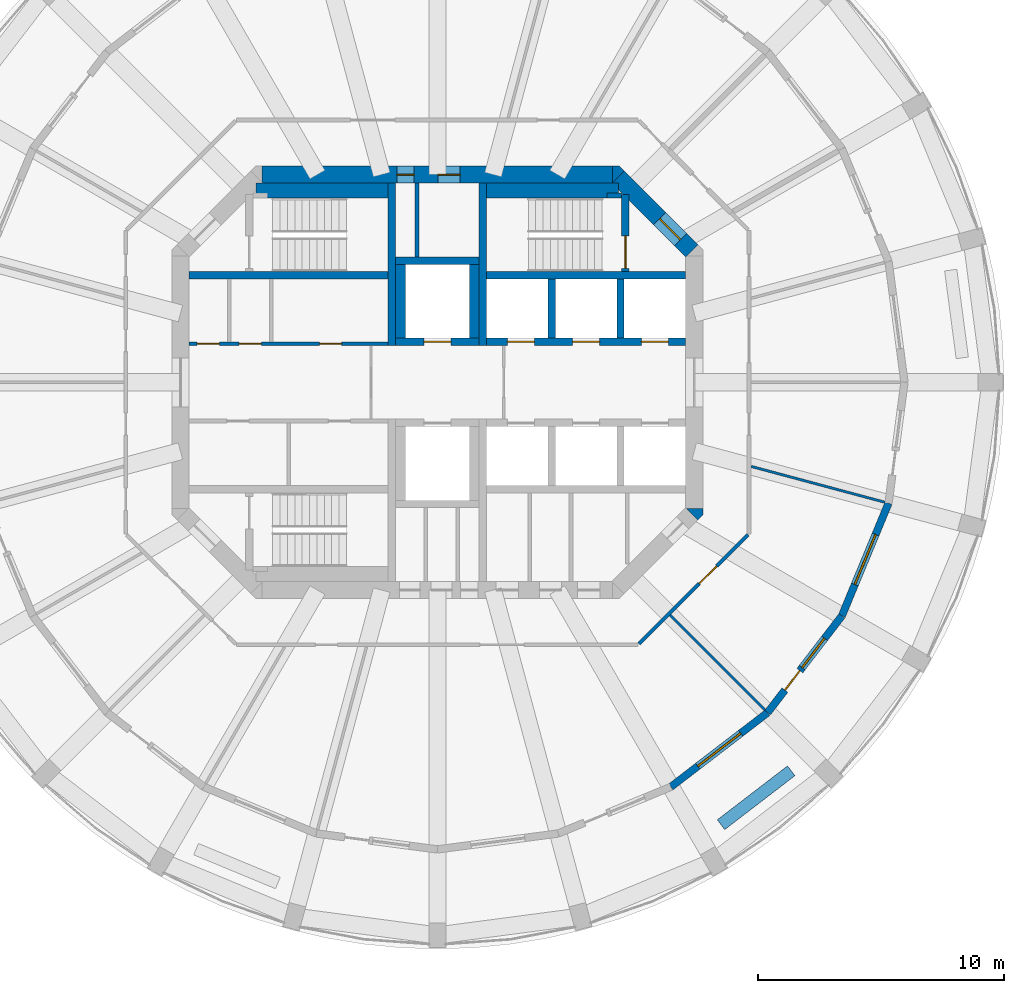
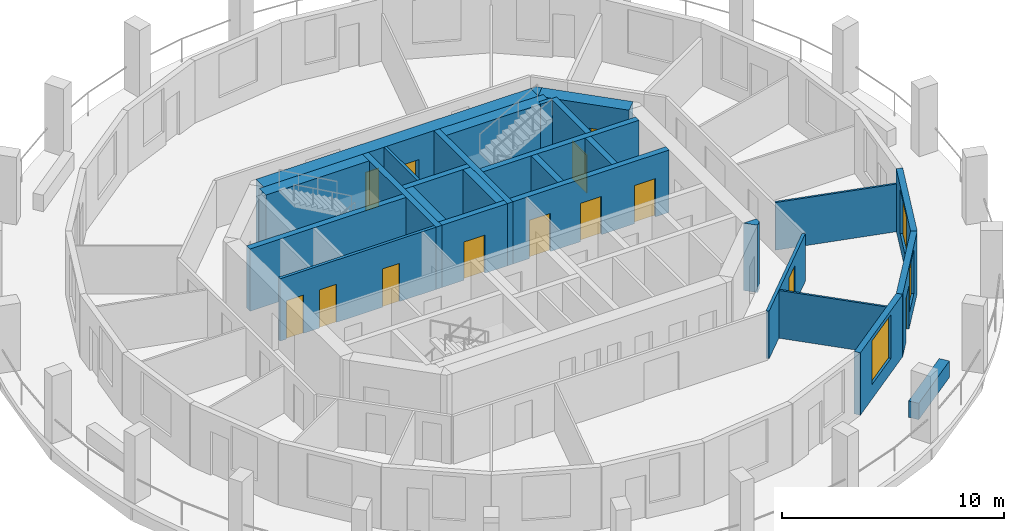
# One storey, part 5 of 9: 28 walls, 13 doors, 3 windows, 16 openings.
"""IFC4 building model written with IfcOpenShell, lengths in metres."""

from ifc_helpers import new_model, si_unit, direction, frame, frame_2d, origin, place, context, subcontext, project, spatial, polyline, rectangle, outline, extrude, material, layer, layer_set, type_object, element, fill, save


model = new_model("IFC4")

# Units and contexts
model_context = context("Model", 3, precision=1e-05, world=origin(), true_north=direction((0.0, 1.0)))
body_context = subcontext(model_context, "Body", "Model", "MODEL_VIEW")
ifc_project = project(units=[si_unit("LENGTHUNIT", "METRE"), si_unit("AREAUNIT", "SQUARE_METRE"), si_unit("VOLUMEUNIT", "CUBIC_METRE"), si_unit("PLANEANGLEUNIT", "RADIAN"), si_unit("MASSUNIT", "GRAM", prefix="KILO")], contexts=[model_context])

# Site, building, storey
site_placement = place(None, origin())
site = spatial("IfcSite", under=ifc_project, at=site_placement, CompositionType="ELEMENT")
building_placement = place(site_placement, origin())
building = spatial("IfcBuilding", under=site, at=building_placement, Name="Torre Triforio", CompositionType="ELEMENT")
storey_placement = place(building_placement, frame((0.0, 0.0, 172.699951171875)))
storey = spatial("IfcBuildingStorey", under=building, at=storey_placement, Name="L39", CompositionType="ELEMENT", Elevation=172.699951171875)

# Walls
ifc_material_1 = material(Name="Concrete C50", Category="concrete")
ifc_layer_1 = layer(ifc_material_1, 0.300048828125)
ifc_layer_set_1 = layer_set([ifc_layer_1], Name="Concrete C50")
wall_type_1 = type_object("IfcWallType", Name="Core wall 300 mm C50 EI 120", PredefinedType="SHEAR", material=ifc_layer_set_1)
for number, where, z_axis, x_axis, name in (
    (1, (-1.85009765625, 1.5, 0.0), (0.0, 0.0, 1.0), (0.0, 1.0, 0.0), "Core wall"),
    (2, (1.85009765625, 1.5, 0.0), (0.0, 0.0, 1.0), (0.0, 1.0, 0.0), "Core wall"),
):
    element("IfcWall", number, at=place(storey_placement, frame(where, z_axis=z_axis, x_axis=x_axis)), inside=storey, type_object=wall_type_1, Name=name, PredefinedType="SHEAR", context=body_context, shape_type="SweptSolid", body=[
        extrude(rectangle(XDim=6.60009765625, YDim=0.300048828125, at=frame_2d((3.300048828125, 0.0))), origin(), (0.0, 0.0, 1.0), 3.420166015625),
    ])

# Wall, openings, doors
ifc_layer_2 = layer(ifc_material_1, 0.699951171875)
ifc_layer_set_2 = layer_set([ifc_layer_2], Name="Concrete C50")
wall_type_2 = type_object("IfcWallType", Name="Core wall 700 mm C50 EI 120", PredefinedType="SHEAR", material=ifc_layer_set_2)
wall_1_placement = place(storey_placement, frame((-7.1298828125, 8.449951171875, -0.280029296875), z_axis=(0.0, 0.0, 1.0), x_axis=(1.0, 0.0, 0.0)))
wall_1 = element("IfcWall", 3, at=wall_1_placement, inside=storey, type_object=wall_type_2, Name="Core wall", PredefinedType="SHEAR", context=body_context, shape_type="SweptSolid", body=[
    extrude(rectangle(XDim=14.259765625, YDim=0.699951171875, at=frame_2d((7.1298828125, 0.0))), origin(), (0.0, 0.0, 1.0), 3.7001953125),
])
opening_1_placement = place(wall_1_placement, frame((5.47998046875, 0.0, 0.280029296875)))
opening_1 = element("IfcOpeningElement", 4, at=opening_1_placement, cuts=wall_1, Name="Opening RISER-N", PredefinedType="OPENING", context=body_context, shape_type="SweptSolid", body=[
    extrude(rectangle(XDim=0.699951171875, YDim=2.10009765625, at=frame_2d((0.35009765625, 1.050048828125))), frame((0.0, 0.35986328125, 0.0), z_axis=(0.0, -1.0, 0.0), x_axis=(1.0, 0.0, 0.0)), (0.0, 0.0, 1.0), 0.719970703125),
])
opening_2_placement = place(wall_1_placement, frame((7.155029296875, 0.0, 0.280029296875)))
opening_2 = element("IfcOpeningElement", 5, at=opening_2_placement, cuts=wall_1, Name="Opening NE-01", PredefinedType="OPENING", context=body_context, shape_type="SweptSolid", body=[
    extrude(rectangle(XDim=0.89990234375, YDim=2.10009765625, at=frame_2d((0.449951171875, 1.050048828125))), frame((0.0, 0.35986328125, 0.0), z_axis=(0.0, -1.0, 0.0), x_axis=(1.0, 0.0, 0.0)), (0.0, 0.0, 1.0), 0.719970703125),
])
ifc_material_2 = material(Name="Hollow metal fire door leaf")
door_type_1 = type_object("IfcDoorType", Name="Riser door 700 x 2100 EI 60", OperationType="NOTDEFINED", PredefinedType="DOOR", material=ifc_material_2)
door_1_placement = place(opening_1_placement, origin())
door_1 = element("IfcDoor", 6, at=door_1_placement, inside=storey, type_object=door_type_1, Name="Core door RISER-N", OperationType="SINGLE_SWING_LEFT", OverallHeight=2.10009765625, OverallWidth=0.699951171875, PredefinedType="DOOR", context=body_context, shape_type="SweptSolid", body=[
    extrude(rectangle(XDim=0.699951171875, YDim=2.10009765625, at=frame_2d((0.35009765625, 1.050048828125))), frame((0.0, 0.02490234375, 0.0), z_axis=(0.0, -1.0, 0.0), x_axis=(1.0, 0.0, 0.0)), (0.0, 0.0, 1.0), 0.050048828125),
])
fill(opening_1, door_1)
door_type_2 = type_object("IfcDoorType", Name="Room door 900 x 2100 EI 60", OperationType="NOTDEFINED", PredefinedType="DOOR", material=ifc_material_2)
door_2_placement = place(opening_2_placement, origin())
door_2 = element("IfcDoor", 7, at=door_2_placement, inside=storey, type_object=door_type_2, Name="Core door NE-01", OperationType="SINGLE_SWING_RIGHT", OverallHeight=2.10009765625, OverallWidth=0.89990234375, PredefinedType="DOOR", context=body_context, shape_type="SweptSolid", body=[
    extrude(rectangle(XDim=0.89990234375, YDim=2.10009765625, at=frame_2d((0.449951171875, 1.050048828125))), frame((0.0, 0.02490234375, 0.0), z_axis=(0.0, -1.0, 0.0), x_axis=(1.0, 0.0, 0.0)), (0.0, 0.0, 1.0), 0.050048828125),
])
fill(opening_2, door_2)

# Wall, opening, door
wall_2_placement = place(storey_placement, frame((7.347412109375, 8.347412109375, -0.280029296875), z_axis=(0.0, 0.0, 1.0), x_axis=(0.707106781187, -0.707106781187, 0.0)))
wall_2 = element("IfcWall", 8, at=wall_2_placement, inside=storey, type_object=wall_type_2, Name="Core wall", PredefinedType="SHEAR", context=body_context, shape_type="SweptSolid", body=[
    extrude(rectangle(XDim=4.24267578125, YDim=0.699951171875, at=frame_2d((2.121337890625, 0.0))), origin(), (0.0, 0.0, 1.0), 3.7001953125),
])
opening_3_placement = place(wall_2_placement, frame((2.392578125, 0.0, 0.280029296875)))
opening_3 = element("IfcOpeningElement", 9, at=opening_3_placement, cuts=wall_2, Name="Opening ST2-EXIT", PredefinedType="OPENING", context=body_context, shape_type="SweptSolid", body=[
    extrude(rectangle(XDim=1.199951171875, YDim=2.10009765625, at=frame_2d((0.60009765625, 1.050048828125))), frame((0.0, 0.35986328125, 0.0), z_axis=(0.0, -1.0, 0.0), x_axis=(1.0, 0.0, 0.0)), (0.0, 0.0, 1.0), 0.719970703125),
])
door_type_3 = type_object("IfcDoorType", Name="Stair lobby door 1200 x 2100 EI 60", OperationType="NOTDEFINED", PredefinedType="DOOR", material=ifc_material_2)
door_3_placement = place(opening_3_placement, origin())
door_3 = element("IfcDoor", 10, at=door_3_placement, inside=storey, type_object=door_type_3, Name="Core door ST2-EXIT", OperationType="SINGLE_SWING_RIGHT", OverallHeight=2.10009765625, OverallWidth=1.199951171875, PredefinedType="DOOR", context=body_context, shape_type="SweptSolid", body=[
    extrude(rectangle(XDim=1.199951171875, YDim=2.10009765625, at=frame_2d((0.60009765625, 1.050048828125))), frame((0.0, 0.02490234375, 0.0), z_axis=(0.0, -1.0, 0.0), x_axis=(1.0, 0.0, 0.0)), (0.0, 0.0, 1.0), 0.050048828125),
])
fill(opening_3, door_3)

# Walls
wall_3_placement = place(storey_placement, frame((0.0, 0.0, -0.280029296875)))
element("IfcWall", 11, at=wall_3_placement, inside=storey, type_object=wall_type_2, Name="Core wall", PredefinedType="SHEAR", context=body_context, shape_type="SweptSolid", body=[
    extrude(outline(polyline([(10.800048828125, -5.389892578125), (10.594970703125, -5.594970703125), (10.594970703125, -5.594970703125), (10.594970703125, -5.594970703125), (10.1298828125, -5.1298828125), (10.800048828125, -5.1298828125), (10.800048828125, -5.1298828125), (10.800048828125, -5.389892578125)])), origin(), (0.0, 0.0, 1.0), 3.7001953125),
])
wall_4_placement = place(storey_placement, frame((0.0, 0.0, -0.280029296875)))
element("IfcWall", 12, at=wall_4_placement, inside=storey, type_object=wall_type_2, Name="Core wall", PredefinedType="SHEAR", context=body_context, shape_type="SweptSolid", body=[
    extrude(outline(polyline([(7.389892578125, 8.800048828125), (7.594970703125, 8.594970703125), (7.594970703125, 8.594970703125), (7.594970703125, 8.594970703125), (7.1298828125, 8.1298828125), (7.1298828125, 8.800048828125), (7.1298828125, 8.800048828125), (7.389892578125, 8.800048828125)])), origin(), (0.0, 0.0, 1.0), 3.7001953125),
])

# Wall, opening, door
ifc_material_3 = material(Name="Plasterboard on metal studs")
ifc_layer_3 = layer(ifc_material_3, 0.14990234375)
ifc_layer_set_3 = layer_set([ifc_layer_3], Name="Plasterboard on metal studs")
wall_type_3 = type_object("IfcWallType", Name="Corridor and tenancy wall 150 mm EI 60", PredefinedType="PARTITIONING", material=ifc_layer_set_3)
wall_5_placement = place(storey_placement, frame((12.637939453125, -6.20361328125, 0.0), z_axis=(0.0, 0.0, 1.0), x_axis=(-0.707106781187, -0.707106781187, 0.0)))
wall_5 = element("IfcWall", 13, at=wall_5_placement, inside=storey, type_object=wall_type_3, Name="Partition 1", PredefinedType="PARTITIONING", context=body_context, shape_type="SweptSolid", body=[
    extrude(rectangle(XDim=6.27099609375, YDim=0.14990234375, at=frame_2d((3.135498046875, 0.0))), origin(), (0.0, 0.0, 1.0), 2.6201171875),
])
opening_4_placement = place(wall_5_placement, frame((1.7998046875, 0.0, 0.0)))
opening_4 = element("IfcOpeningElement", 14, at=opening_4_placement, cuts=wall_5, Name="Opening O2-10", PredefinedType="OPENING", context=body_context, shape_type="SweptSolid", body=[
    extrude(rectangle(XDim=1.0, YDim=2.10009765625, at=frame_2d((0.5, 1.050048828125))), frame((0.0, 0.0849609375, 0.0), z_axis=(0.0, -1.0, 0.0), x_axis=(1.0, 0.0, 0.0)), (0.0, 0.0, 1.0), 0.169921875),
])
ifc_material_4 = material(Name="Timber", Category="wood")
door_type_4 = type_object("IfcDoorType", Name="Door 1000 x 2100 single leaf EI 30", OperationType="NOTDEFINED", PredefinedType="DOOR", material=ifc_material_4)
door_4_placement = place(opening_4_placement, origin())
door_4 = element("IfcDoor", 15, at=door_4_placement, inside=storey, type_object=door_type_4, Name="Door O2-10", OperationType="SINGLE_SWING_RIGHT", OverallHeight=2.10009765625, OverallWidth=1.0, PredefinedType="DOOR", context=body_context, shape_type="SweptSolid", body=[
    extrude(rectangle(XDim=1.0, YDim=2.10009765625, at=frame_2d((0.5, 1.050048828125))), frame((0.0, 0.02490234375, 0.0), z_axis=(0.0, -1.0, 0.0), x_axis=(1.0, 0.0, 0.0)), (0.0, 0.0, 1.0), 0.050048828125),
])
fill(opening_4, door_4)

# Walls
ifc_layer_4 = layer(ifc_material_3, 0.10009765625)
ifc_layer_set_4 = layer_set([ifc_layer_4], Name="Plasterboard on metal studs")
wall_type_4 = type_object("IfcWallType", Name="Partition 100 mm board on metal studs", PredefinedType="PARTITIONING", material=ifc_layer_set_4)
wall_6_placement = place(storey_placement, frame((9.473876953125, -9.473876953125, 0.0), z_axis=(0.0, 0.0, 1.0), x_axis=(0.707106781187, -0.707106781187, 0.0)))
element("IfcWall", 16, at=wall_6_placement, inside=storey, type_object=wall_type_4, Name="Partition 25", PredefinedType="PARTITIONING", context=body_context, shape_type="SweptSolid", body=[
    extrude(rectangle(XDim=5.438720703125, YDim=0.10009765625, at=frame_2d((2.71923828125, 0.0))), origin(), (0.0, 0.0, 1.0), 2.6201171875),
])
wall_7_placement = place(storey_placement, frame((12.764404296875, -3.420166015625, 0.0), z_axis=(0.0, 0.0, 1.0), x_axis=(0.965925759926, -0.258819292773, 0.0)))
element("IfcWall", 17, at=wall_7_placement, inside=storey, type_object=wall_type_4, Name="Partition 26", PredefinedType="PARTITIONING", context=body_context, shape_type="SweptSolid", body=[
    extrude(rectangle(XDim=5.6220703125, YDim=0.10009765625, at=frame_2d((2.81103515625, 0.0))), origin(), (0.0, 0.0, 1.0), 2.6201171875),
])
ifc_material_5 = material(Name="Block and board partition")
ifc_layer_5 = layer(ifc_material_5, 0.14990234375)
ifc_layer_set_5 = layer_set([ifc_layer_5], Name="Block and board partition")
wall_type_5 = type_object("IfcWallType", Name="Partition 150 mm EI 120", PredefinedType="PARTITIONING", material=ifc_layer_set_5)
wall_8_placement = place(storey_placement, frame((-0.824951171875, 5.10009765625, 0.0), z_axis=(0.0, 0.0, 1.0), x_axis=(0.0, 1.0, 0.0)))
element("IfcWall", 18, at=wall_8_placement, inside=storey, type_object=wall_type_5, Name="Partition", PredefinedType="PARTITIONING", context=body_context, shape_type="SweptSolid", body=[
    extrude(rectangle(XDim=3.0, YDim=0.14990234375, at=frame_2d((1.5, 0.0))), origin(), (0.0, 0.0, 1.0), 3.420166015625),
])

# Wall, openings, doors
wall_9_placement = place(storey_placement, frame((-10.10009765625, 1.574951171875, 0.0), z_axis=(0.0, 0.0, 1.0), x_axis=(1.0, 0.0, 0.0)))
wall_9 = element("IfcWall", 19, at=wall_9_placement, inside=storey, type_object=wall_type_5, Name="Partition", PredefinedType="PARTITIONING", context=body_context, shape_type="SweptSolid", body=[
    extrude(rectangle(XDim=8.10009765625, YDim=0.14990234375, at=frame_2d((4.050048828125, 0.0))), origin(), (0.0, 0.0, 1.0), 3.420166015625),
])
opening_5_placement = place(wall_9_placement, frame((0.330078125, 0.0, 0.0)))
opening_5 = element("IfcOpeningElement", 20, at=opening_5_placement, cuts=wall_9, Name="Opening FN-01", PredefinedType="OPENING", context=body_context, shape_type="SweptSolid", body=[
    extrude(rectangle(XDim=0.89990234375, YDim=2.10009765625, at=frame_2d((0.449951171875, 1.050048828125))), frame((0.0, 0.0849609375, 0.0), z_axis=(0.0, -1.0, 0.0), x_axis=(1.0, 0.0, 0.0)), (0.0, 0.0, 1.0), 0.169921875),
])
opening_6_placement = place(wall_9_placement, frame((2.0400390625, 0.0, 0.0)))
opening_6 = element("IfcOpeningElement", 21, at=opening_6_placement, cuts=wall_9, Name="Opening FN-02", PredefinedType="OPENING", context=body_context, shape_type="SweptSolid", body=[
    extrude(rectangle(XDim=0.89990234375, YDim=2.10009765625, at=frame_2d((0.449951171875, 1.050048828125))), frame((0.0, 0.0849609375, 0.0), z_axis=(0.0, -1.0, 0.0), x_axis=(1.0, 0.0, 0.0)), (0.0, 0.0, 1.0), 0.169921875),
])
opening_7_placement = place(wall_9_placement, frame((5.31005859375, 0.0, 0.0)))
opening_7 = element("IfcOpeningElement", 22, at=opening_7_placement, cuts=wall_9, Name="Opening FN-03", PredefinedType="OPENING", context=body_context, shape_type="SweptSolid", body=[
    extrude(rectangle(XDim=0.89990234375, YDim=2.10009765625, at=frame_2d((0.449951171875, 1.050048828125))), frame((0.0, 0.0849609375, 0.0), z_axis=(0.0, -1.0, 0.0), x_axis=(1.0, 0.0, 0.0)), (0.0, 0.0, 1.0), 0.169921875),
])
door_5_placement = place(opening_5_placement, origin())
door_5 = element("IfcDoor", 23, at=door_5_placement, inside=storey, type_object=door_type_2, Name="Core door FN-01", OperationType="SINGLE_SWING_RIGHT", OverallHeight=2.10009765625, OverallWidth=0.89990234375, PredefinedType="DOOR", context=body_context, shape_type="SweptSolid", body=[
    extrude(rectangle(XDim=0.89990234375, YDim=2.10009765625, at=frame_2d((0.449951171875, 1.050048828125))), frame((0.0, 0.02490234375, 0.0), z_axis=(0.0, -1.0, 0.0), x_axis=(1.0, 0.0, 0.0)), (0.0, 0.0, 1.0), 0.050048828125),
])
fill(opening_5, door_5)
door_6_placement = place(opening_6_placement, origin())
door_6 = element("IfcDoor", 24, at=door_6_placement, inside=storey, type_object=door_type_2, Name="Core door FN-02", OperationType="SINGLE_SWING_RIGHT", OverallHeight=2.10009765625, OverallWidth=0.89990234375, PredefinedType="DOOR", context=body_context, shape_type="SweptSolid", body=[
    extrude(rectangle(XDim=0.89990234375, YDim=2.10009765625, at=frame_2d((0.449951171875, 1.050048828125))), frame((0.0, 0.02490234375, 0.0), z_axis=(0.0, -1.0, 0.0), x_axis=(1.0, 0.0, 0.0)), (0.0, 0.0, 1.0), 0.050048828125),
])
fill(opening_6, door_6)
door_7_placement = place(opening_7_placement, origin())
door_7 = element("IfcDoor", 25, at=door_7_placement, inside=storey, type_object=door_type_2, Name="Core door FN-03", OperationType="SINGLE_SWING_RIGHT", OverallHeight=2.10009765625, OverallWidth=0.89990234375, PredefinedType="DOOR", context=body_context, shape_type="SweptSolid", body=[
    extrude(rectangle(XDim=0.89990234375, YDim=2.10009765625, at=frame_2d((0.449951171875, 1.050048828125))), frame((0.0, 0.02490234375, 0.0), z_axis=(0.0, -1.0, 0.0), x_axis=(1.0, 0.0, 0.0)), (0.0, 0.0, 1.0), 0.050048828125),
])
fill(opening_7, door_7)

# Walls
ifc_material_6 = material(Name="Limestone cladding", Category="masonry")
ifc_layer_6 = layer(ifc_material_6, 0.10009765625)
ifc_material_7 = material(Name="Concrete C40", Category="concrete")
ifc_layer_7 = layer(ifc_material_7, 0.39990234375)
ifc_layer_set_6 = layer_set([ifc_layer_6, ifc_layer_7], Name="Limestone cladding / Concrete C40")
wall_type_6 = type_object("IfcWallType", Name="Planter wall 500", PredefinedType="PARAPET", material=ifc_layer_set_6)
wall_10_placement = place(storey_placement, frame((11.53857421875, -17.994140625, 0.0), z_axis=(0.0, 0.0, 1.0), x_axis=(0.793384730612, 0.608720518162, 0.0)))
element("IfcWall", 26, at=wall_10_placement, inside=storey, type_object=wall_type_6, Name="Planter L39 bay 21", PredefinedType="PARAPET", context=body_context, shape_type="SweptSolid", body=[
    extrude(rectangle(XDim=3.60009765625, YDim=0.5, at=frame_2d((1.800048828125, 0.0))), origin(), (0.0, 0.0, 1.0), 0.900146484375),
])
ifc_layer_8 = layer(ifc_material_1, 0.300048828125)
ifc_layer_set_7 = layer_set([ifc_layer_8], Name="Concrete C50")
wall_type_7 = type_object("IfcWallType", Name="Shaft wall 300 mm C50 EI 120", PredefinedType="SOLIDWALL", material=ifc_layer_set_7)
for number, where, z_axis, x_axis, name in (
    (27, (-10.10009765625, 4.35009765625, 0.0), (0.0, 0.0, 1.0), (1.0, 0.0, 0.0), "Shaft wall"),
    (28, (2.0, 4.35009765625, 0.0), (0.0, 0.0, 1.0), (1.0, 0.0, 0.0), "Shaft wall"),
):
    element("IfcWall", number, at=place(storey_placement, frame(where, z_axis=z_axis, x_axis=x_axis)), inside=storey, type_object=wall_type_7, Name=name, PredefinedType="SOLIDWALL", context=body_context, shape_type="SweptSolid", body=[
        extrude(rectangle(XDim=8.10009765625, YDim=0.300048828125, at=frame_2d((4.050048828125, 0.0))), origin(), (0.0, 0.0, 1.0), 3.420166015625),
    ])

# Wall, openings, doors
wall_11_placement = place(storey_placement, frame((2.0, 1.64990234375, 0.0), z_axis=(0.0, 0.0, 1.0), x_axis=(1.0, 0.0, 0.0)))
wall_11 = element("IfcWall", 29, at=wall_11_placement, inside=storey, type_object=wall_type_7, Name="Shaft wall", PredefinedType="SOLIDWALL", context=body_context, shape_type="SweptSolid", body=[
    extrude(rectangle(XDim=8.10009765625, YDim=0.300048828125, at=frame_2d((4.050048828125, 0.0))), origin(), (0.0, 0.0, 1.0), 3.420166015625),
])
opening_8_placement = place(wall_11_placement, frame((0.85009765625, 0.0, 0.0)))
opening_8 = element("IfcOpeningElement", 30, at=opening_8_placement, cuts=wall_11, Name="Opening LD", PredefinedType="OPENING", context=body_context, shape_type="SweptSolid", body=[
    extrude(rectangle(XDim=1.10009765625, YDim=2.10009765625, at=frame_2d((0.550048828125, 1.050048828125))), frame((0.0, 0.159912109375, 0.0), z_axis=(0.0, -1.0, 0.0), x_axis=(1.0, 0.0, 0.0)), (0.0, 0.0, 1.0), 0.320068359375),
])
opening_9_placement = place(wall_11_placement, frame((3.5, 0.0, 0.0)))
opening_9 = element("IfcOpeningElement", 31, at=opening_9_placement, cuts=wall_11, Name="Opening LD", PredefinedType="OPENING", context=body_context, shape_type="SweptSolid", body=[
    extrude(rectangle(XDim=1.10009765625, YDim=2.10009765625, at=frame_2d((0.550048828125, 1.050048828125))), frame((0.0, 0.159912109375, 0.0), z_axis=(0.0, -1.0, 0.0), x_axis=(1.0, 0.0, 0.0)), (0.0, 0.0, 1.0), 0.320068359375),
])
opening_10_placement = place(wall_11_placement, frame((6.300048828125, 0.0, 0.0)))
opening_10 = element("IfcOpeningElement", 32, at=opening_10_placement, cuts=wall_11, Name="Opening LD", PredefinedType="OPENING", context=body_context, shape_type="SweptSolid", body=[
    extrude(rectangle(XDim=1.10009765625, YDim=2.10009765625, at=frame_2d((0.550048828125, 1.050048828125))), frame((0.0, 0.159912109375, 0.0), z_axis=(0.0, -1.0, 0.0), x_axis=(1.0, 0.0, 0.0)), (0.0, 0.0, 1.0), 0.320068359375),
])
door_type_5 = type_object("IfcDoorType", Name="Landing door 1100 x 2100 EI 60", OperationType="DOUBLE_DOOR_SLIDING", PredefinedType="DOOR", material=ifc_material_2)
door_8_placement = place(opening_8_placement, origin())
door_8 = element("IfcDoor", 33, at=door_8_placement, inside=storey, type_object=door_type_5, Name="Landing door HR1", OperationType="DOUBLE_DOOR_SLIDING", OverallHeight=2.10009765625, OverallWidth=1.10009765625, PredefinedType="DOOR", context=body_context, shape_type="SweptSolid", body=[
    extrude(rectangle(XDim=1.10009765625, YDim=2.10009765625, at=frame_2d((0.550048828125, 1.050048828125))), frame((0.0, 0.02490234375, 0.0), z_axis=(0.0, -1.0, 0.0), x_axis=(1.0, 0.0, 0.0)), (0.0, 0.0, 1.0), 0.050048828125),
])
fill(opening_8, door_8)
door_9_placement = place(opening_9_placement, origin())
door_9 = element("IfcDoor", 34, at=door_9_placement, inside=storey, type_object=door_type_5, Name="Landing door HR2", OperationType="DOUBLE_DOOR_SLIDING", OverallHeight=2.10009765625, OverallWidth=1.10009765625, PredefinedType="DOOR", context=body_context, shape_type="SweptSolid", body=[
    extrude(rectangle(XDim=1.10009765625, YDim=2.10009765625, at=frame_2d((0.550048828125, 1.050048828125))), frame((0.0, 0.02490234375, 0.0), z_axis=(0.0, -1.0, 0.0), x_axis=(1.0, 0.0, 0.0)), (0.0, 0.0, 1.0), 0.050048828125),
])
fill(opening_9, door_9)
door_10_placement = place(opening_10_placement, origin())
door_10 = element("IfcDoor", 35, at=door_10_placement, inside=storey, type_object=door_type_5, Name="Landing door HR3", OperationType="DOUBLE_DOOR_SLIDING", OverallHeight=2.10009765625, OverallWidth=1.10009765625, PredefinedType="DOOR", context=body_context, shape_type="SweptSolid", body=[
    extrude(rectangle(XDim=1.10009765625, YDim=2.10009765625, at=frame_2d((0.550048828125, 1.050048828125))), frame((0.0, 0.02490234375, 0.0), z_axis=(0.0, -1.0, 0.0), x_axis=(1.0, 0.0, 0.0)), (0.0, 0.0, 1.0), 0.050048828125),
])
fill(opening_10, door_10)

# Walls
for number, where, z_axis, x_axis, name in (
    (36, (4.64990234375, 1.800048828125, 0.0), (0.0, 0.0, 1.0), (0.0, 1.0, 0.0), "Shaft wall"),
    (37, (7.449951171875, 1.800048828125, 0.0), (0.0, 0.0, 1.0), (0.0, 1.0, 0.0), "Shaft wall"),
):
    element("IfcWall", number, at=place(storey_placement, frame(where, z_axis=z_axis, x_axis=x_axis)), inside=storey, type_object=wall_type_7, Name=name, PredefinedType="SOLIDWALL", context=body_context, shape_type="SweptSolid", body=[
        extrude(rectangle(XDim=2.39990234375, YDim=0.300048828125, at=frame_2d((1.199951171875, 0.0))), origin(), (0.0, 0.0, 1.0), 3.420166015625),
    ])

# Wall, opening, door
wall_12_placement = place(storey_placement, frame((-1.699951171875, 1.64990234375, 0.0), z_axis=(0.0, 0.0, 1.0), x_axis=(1.0, 0.0, 0.0)))
wall_12 = element("IfcWall", 38, at=wall_12_placement, inside=storey, type_object=wall_type_7, Name="Shaft wall", PredefinedType="SOLIDWALL", context=body_context, shape_type="SweptSolid", body=[
    extrude(rectangle(XDim=3.39990234375, YDim=0.300048828125, at=frame_2d((1.699951171875, 0.0))), origin(), (0.0, 0.0, 1.0), 3.420166015625),
])
opening_11_placement = place(wall_12_placement, frame((1.14990234375, 0.0, 0.0)))
opening_11 = element("IfcOpeningElement", 39, at=opening_11_placement, cuts=wall_12, Name="Opening LD", PredefinedType="OPENING", context=body_context, shape_type="SweptSolid", body=[
    extrude(rectangle(XDim=1.10009765625, YDim=2.10009765625, at=frame_2d((0.550048828125, 1.050048828125))), frame((0.0, 0.159912109375, 0.0), z_axis=(0.0, -1.0, 0.0), x_axis=(1.0, 0.0, 0.0)), (0.0, 0.0, 1.0), 0.320068359375),
])
door_11_placement = place(opening_11_placement, origin())
door_11 = element("IfcDoor", 40, at=door_11_placement, inside=storey, type_object=door_type_5, Name="Landing door FFL1", OperationType="DOUBLE_DOOR_SLIDING", OverallHeight=2.10009765625, OverallWidth=1.10009765625, PredefinedType="DOOR", context=body_context, shape_type="SweptSolid", body=[
    extrude(rectangle(XDim=1.10009765625, YDim=2.10009765625, at=frame_2d((0.550048828125, 1.050048828125))), frame((0.0, 0.02490234375, 0.0), z_axis=(0.0, -1.0, 0.0), x_axis=(1.0, 0.0, 0.0)), (0.0, 0.0, 1.0), 0.050048828125),
])
fill(opening_11, door_11)

# Walls
wall_13_placement = place(storey_placement, frame((-1.699951171875, 4.949951171875, 0.0), z_axis=(0.0, 0.0, 1.0), x_axis=(1.0, 0.0, 0.0)))
element("IfcWall", 41, at=wall_13_placement, inside=storey, type_object=wall_type_7, Name="Shaft wall", PredefinedType="SOLIDWALL", context=body_context, shape_type="SweptSolid", body=[
    extrude(rectangle(XDim=3.39990234375, YDim=0.300048828125, at=frame_2d((1.699951171875, 0.0))), origin(), (0.0, 0.0, 1.0), 3.420166015625),
])
ifc_layer_9 = layer(ifc_material_1, 0.39990234375)
ifc_layer_set_8 = layer_set([ifc_layer_9], Name="Concrete C50")
wall_type_8 = type_object("IfcWallType", Name="Shaft wall 400 mm C50 EI 120", PredefinedType="SOLIDWALL", material=ifc_layer_set_8)
for number, where, z_axis, x_axis, name in (
    (42, (-1.5, 1.800048828125, 0.0), (0.0, 0.0, 1.0), (0.0, 1.0, 0.0), "Shaft wall"),
    (43, (1.5, 1.800048828125, 0.0), (0.0, 0.0, 1.0), (0.0, 1.0, 0.0), "Shaft wall"),
):
    element("IfcWall", number, at=place(storey_placement, frame(where, z_axis=z_axis, x_axis=x_axis)), inside=storey, type_object=wall_type_8, Name=name, PredefinedType="SOLIDWALL", context=body_context, shape_type="SweptSolid", body=[
        extrude(rectangle(XDim=3.0, YDim=0.39990234375, at=frame_2d((1.5, 0.0))), origin(), (0.0, 0.0, 1.0), 3.420166015625),
    ])
ifc_layer_10 = layer(ifc_material_1, 0.199951171875)
ifc_layer_set_9 = layer_set([ifc_layer_10], Name="Concrete C50")
wall_type_9 = type_object("IfcWallType", Name="Stair wall 200 mm C50 EI 120", PredefinedType="SHEAR", material=ifc_layer_set_9)
wall_14_placement = place(storey_placement, frame((6.89990234375, 7.60009765625, 0.0), z_axis=(0.0, 0.0, 1.0), x_axis=(1.0, 0.0, 0.0)))
element("IfcWall", 44, at=wall_14_placement, inside=storey, type_object=wall_type_9, Name="Stair wall", PredefinedType="SHEAR", context=body_context, shape_type="SweptSolid", body=[
    extrude(rectangle(XDim=0.60009765625, YDim=0.199951171875, at=frame_2d((0.300048828125, 0.0))), origin(), (0.0, 0.0, 1.0), 3.420166015625),
])

# Wall, opening, door
ifc_layer_11 = layer(ifc_material_1, 0.300048828125)
ifc_layer_set_10 = layer_set([ifc_layer_11], Name="Concrete C50")
wall_type_10 = type_object("IfcWallType", Name="Stair wall 300 mm C50 EI 120", PredefinedType="SHEAR", material=ifc_layer_set_10)
wall_15_placement = place(storey_placement, frame((7.64990234375, 4.5, 0.0), z_axis=(0.0, 0.0, 1.0), x_axis=(0.0, 1.0, 0.0)))
wall_15 = element("IfcWall", 45, at=wall_15_placement, inside=storey, type_object=wall_type_10, Name="Stair wall", PredefinedType="SHEAR", context=body_context, shape_type="SweptSolid", body=[
    extrude(rectangle(XDim=3.139892578125, YDim=0.300048828125, at=frame_2d((1.56982421875, 0.0))), origin(), (0.0, 0.0, 1.0), 3.420166015625),
])
opening_12_placement = place(wall_15_placement, frame((0.139892578125, 0.0, 0.0)))
opening_12 = element("IfcOpeningElement", 46, at=opening_12_placement, cuts=wall_15, Name="Opening ST2-STA", PredefinedType="OPENING", context=body_context, shape_type="SweptSolid", body=[
    extrude(rectangle(XDim=1.320068359375, YDim=2.10009765625, at=frame_2d((0.66015625, 1.050048828125))), frame((0.0, 0.159912109375, 0.0), z_axis=(0.0, -1.0, 0.0), x_axis=(1.0, 0.0, 0.0)), (0.0, 0.0, 1.0), 0.320068359375),
])
door_type_6 = type_object("IfcDoorType", Name="Stair door 1320 x 2100 EI 90", OperationType="DOUBLE_DOOR_SINGLE_SWING", PredefinedType="DOOR", material=ifc_material_2)
door_12_placement = place(opening_12_placement, origin())
door_12 = element("IfcDoor", 47, at=door_12_placement, inside=storey, type_object=door_type_6, Name="Core door ST2-ST", OperationType="DOUBLE_DOOR_SINGLE_SWING", OverallHeight=2.10009765625, OverallWidth=1.320068359375, PredefinedType="DOOR", context=body_context, shape_type="SweptSolid", body=[
    extrude(rectangle(XDim=1.320068359375, YDim=2.10009765625, at=frame_2d((0.66015625, 1.050048828125))), frame((0.0, 0.02490234375, 0.0), z_axis=(0.0, -1.0, 0.0), x_axis=(1.0, 0.0, 0.0)), (0.0, 0.0, 1.0), 0.050048828125),
])
fill(opening_12, door_12)

# Walls
ifc_layer_12 = layer(ifc_material_1, 0.60009765625)
ifc_layer_set_11 = layer_set([ifc_layer_12], Name="Concrete C50")
wall_type_11 = type_object("IfcWallType", Name="Stair wall 600 mm C50 EI 120", PredefinedType="SHEAR", material=ifc_layer_set_11)
for number, where, z_axis, x_axis, name in (
    (48, (-7.3701171875, 7.800048828125, 0.0), (0.0, 0.0, 1.0), (1.0, 0.0, 0.0), "Stair wall"),
    (49, (2.0, 7.800048828125, 0.0), (0.0, 0.0, 1.0), (1.0, 0.0, 0.0), "Stair wall"),
):
    element("IfcWall", number, at=place(storey_placement, frame(where, z_axis=z_axis, x_axis=x_axis)), inside=storey, type_object=wall_type_11, Name=name, PredefinedType="SHEAR", context=body_context, shape_type="SweptSolid", body=[
        extrude(rectangle(XDim=5.3701171875, YDim=0.60009765625, at=frame_2d((2.68505859375, 0.0))), origin(), (0.0, 0.0, 1.0), 3.420166015625),
    ])

# Wall, opening, window
ifc_layer_13 = layer(ifc_material_6, 0.10009765625)
ifc_layer_14 = layer(ifc_material_7, 0.199951171875)
ifc_layer_set_12 = layer_set([ifc_layer_13, ifc_layer_14], Name="Limestone cladding / Concrete C40")
wall_type_12 = type_object("IfcWallType", Name="Stone-faced composite wall 300", PredefinedType="STANDARD", material=ifc_layer_set_12)
wall_16_placement = place(storey_placement, frame((9.5, -16.45458984375, 0.0), z_axis=(0.0, 0.0, 1.0), x_axis=(0.793348024649, 0.608768356425, 0.0)))
wall_16 = element("IfcWall", 50, at=wall_16_placement, inside=storey, type_object=wall_type_12, Name="External wall L39 bay 21", PredefinedType="STANDARD", context=body_context, shape_type="SweptSolid", body=[
    extrude(rectangle(XDim=4.9599609375, YDim=0.300048828125, at=frame_2d((2.47998046875, 0.0))), origin(), (0.0, 0.0, 1.0), 3.420166015625),
])
opening_13_placement = place(wall_16_placement, frame((1.3798828125, 0.0, 0.800048828125)))
opening_13 = element("IfcOpeningElement", 51, at=opening_13_placement, cuts=wall_16, Name="Opening O2-W21", PredefinedType="OPENING", context=body_context, shape_type="SweptSolid", body=[
    extrude(rectangle(XDim=2.199951171875, YDim=2.39990234375, at=frame_2d((1.10009765625, 1.199951171875))), frame((0.0, 0.159912109375, 0.0), z_axis=(0.0, -1.0, 0.0), x_axis=(1.0, 0.0, 0.0)), (0.0, 0.0, 1.0), 0.320068359375),
])
ifc_material_8 = material(Name="Aluminium frame with clear double glazing", Category="aluminium")
window_type_1 = type_object("IfcWindowType", Name="Punched window 2200 x 2400", PartitioningType="DOUBLE_PANEL_VERTICAL", PredefinedType="WINDOW", material=ifc_material_8)
window_1_placement = place(opening_13_placement, origin())
window_1 = element("IfcWindow", 52, at=window_1_placement, inside=storey, type_object=window_type_1, Name="Window EWN5 L39 bay 21", OverallHeight=2.39990234375, OverallWidth=2.199951171875, PartitioningType="SINGLE_PANEL", PredefinedType="WINDOW", context=body_context, shape_type="SweptSolid", body=[
    extrude(rectangle(XDim=2.199951171875, YDim=2.39990234375, at=frame_2d((1.10009765625, 1.199951171875))), frame((0.0, 0.030029296875, 0.0), z_axis=(0.0, -1.0, 0.0), x_axis=(1.0, 0.0, 0.0)), (0.0, 0.0, 1.0), 0.06005859375),
])
fill(opening_13, window_1)

# Wall, openings, door, window
wall_17_placement = place(storey_placement, frame((13.43505859375, -13.43505859375, 0.0), z_axis=(0.0, 0.0, 1.0), x_axis=(0.608768356425, 0.793348024649, 0.0)))
wall_17 = element("IfcWall", 53, at=wall_17_placement, inside=storey, type_object=wall_type_12, Name="External wall L39 bay 22", PredefinedType="STANDARD", context=body_context, shape_type="SweptSolid", body=[
    extrude(rectangle(XDim=4.9599609375, YDim=0.300048828125, at=frame_2d((2.47998046875, 0.0))), origin(), (0.0, 0.0, 1.0), 3.420166015625),
])
opening_14_placement = place(wall_17_placement, frame((1.155029296875, 0.0, 0.0)))
opening_14 = element("IfcOpeningElement", 54, at=opening_14_placement, cuts=wall_17, Name="Opening O2-D22", PredefinedType="OPENING", context=body_context, shape_type="SweptSolid", body=[
    extrude(rectangle(XDim=1.0, YDim=2.39990234375, at=frame_2d((0.5, 1.199951171875))), frame((0.0, 0.159912109375, 0.0), z_axis=(0.0, -1.0, 0.0), x_axis=(1.0, 0.0, 0.0)), (0.0, 0.0, 1.0), 0.320068359375),
])
opening_15_placement = place(wall_17_placement, frame((2.304931640625, 0.0, 0.800048828125)))
opening_15 = element("IfcOpeningElement", 55, at=opening_15_placement, cuts=wall_17, Name="Opening O2-W22A", PredefinedType="OPENING", context=body_context, shape_type="SweptSolid", body=[
    extrude(rectangle(XDim=1.5, YDim=2.39990234375, at=frame_2d((0.75, 1.199951171875))), frame((0.0, 0.159912109375, 0.0), z_axis=(0.0, -1.0, 0.0), x_axis=(1.0, 0.0, 0.0)), (0.0, 0.0, 1.0), 0.320068359375),
])
door_type_7 = type_object("IfcDoorType", Name="Loggia door 1000 x 2400", OperationType="NOTDEFINED", PredefinedType="DOOR", material=ifc_material_8)
door_13_placement = place(opening_14_placement, origin())
door_13 = element("IfcDoor", 56, at=door_13_placement, inside=storey, type_object=door_type_7, Name="Loggia door L39 bay 22", OperationType="SINGLE_SWING_LEFT", OverallHeight=2.39990234375, OverallWidth=1.0, PredefinedType="DOOR", context=body_context, shape_type="SweptSolid", body=[
    extrude(rectangle(XDim=1.0, YDim=2.39990234375, at=frame_2d((0.5, 1.199951171875))), frame((0.0, 0.02490234375, 0.0), z_axis=(0.0, -1.0, 0.0), x_axis=(1.0, 0.0, 0.0)), (0.0, 0.0, 1.0), 0.050048828125),
])
fill(opening_14, door_13)
window_type_2 = type_object("IfcWindowType", Name="Side window 1500 x 2400", PartitioningType="SINGLE_PANEL", PredefinedType="WINDOW", material=ifc_material_8)
window_2_placement = place(opening_15_placement, origin())
window_2 = element("IfcWindow", 57, at=window_2_placement, inside=storey, type_object=window_type_2, Name="Side window EWN14 L39 bay 22", OverallHeight=2.39990234375, OverallWidth=1.5, PartitioningType="SINGLE_PANEL", PredefinedType="WINDOW", context=body_context, shape_type="SweptSolid", body=[
    extrude(rectangle(XDim=1.5, YDim=2.39990234375, at=frame_2d((0.75, 1.199951171875))), frame((0.0, 0.030029296875, 0.0), z_axis=(0.0, -1.0, 0.0), x_axis=(1.0, 0.0, 0.0)), (0.0, 0.0, 1.0), 0.06005859375),
])
fill(opening_15, window_2)

# Wall, opening, window
wall_18_placement = place(storey_placement, frame((16.45458984375, -9.5, 0.0), z_axis=(0.0, 0.0, 1.0), x_axis=(0.382650301762, 0.923893254961, 0.0)))
wall_18 = element("IfcWall", 58, at=wall_18_placement, inside=storey, type_object=wall_type_12, Name="External wall L39 bay 23", PredefinedType="STANDARD", context=body_context, shape_type="SweptSolid", body=[
    extrude(rectangle(XDim=4.9599609375, YDim=0.300048828125, at=frame_2d((2.47998046875, 0.0))), origin(), (0.0, 0.0, 1.0), 3.420166015625),
])
opening_16_placement = place(wall_18_placement, frame((1.3798828125, 0.0, 0.800048828125)))
opening_16 = element("IfcOpeningElement", 59, at=opening_16_placement, cuts=wall_18, Name="Opening O2-W23", PredefinedType="OPENING", context=body_context, shape_type="SweptSolid", body=[
    extrude(rectangle(XDim=2.199951171875, YDim=2.39990234375, at=frame_2d((1.10009765625, 1.199951171875))), frame((0.0, 0.159912109375, 0.0), z_axis=(0.0, -1.0, 0.0), x_axis=(1.0, 0.0, 0.0)), (0.0, 0.0, 1.0), 0.320068359375),
])
window_3_placement = place(opening_16_placement, origin())
window_3 = element("IfcWindow", 60, at=window_3_placement, inside=storey, type_object=window_type_1, Name="Window EWN5 L39 bay 23", OverallHeight=2.39990234375, OverallWidth=2.199951171875, PartitioningType="SINGLE_PANEL", PredefinedType="WINDOW", context=body_context, shape_type="SweptSolid", body=[
    extrude(rectangle(XDim=2.199951171875, YDim=2.39990234375, at=frame_2d((1.10009765625, 1.199951171875))), frame((0.0, 0.030029296875, 0.0), z_axis=(0.0, -1.0, 0.0), x_axis=(1.0, 0.0, 0.0)), (0.0, 0.0, 1.0), 0.06005859375),
])
fill(opening_16, window_3)

save(model, "model.ifc")
